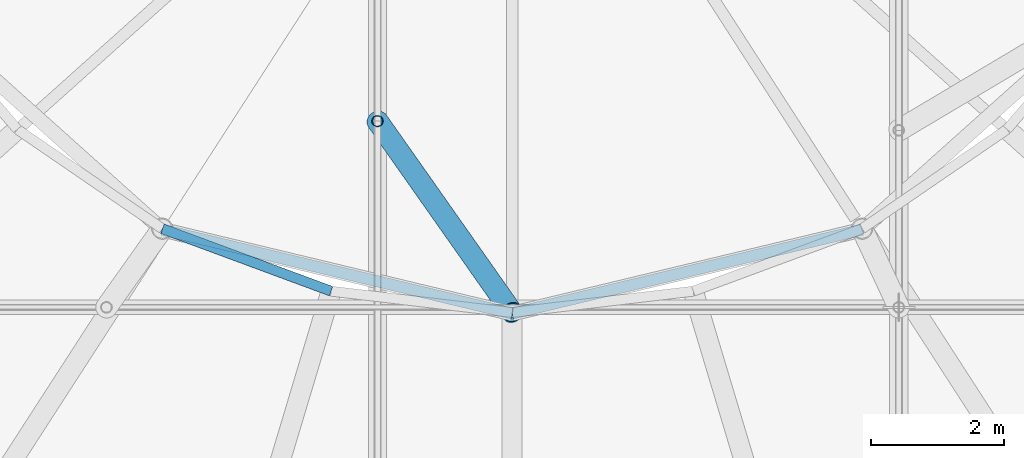
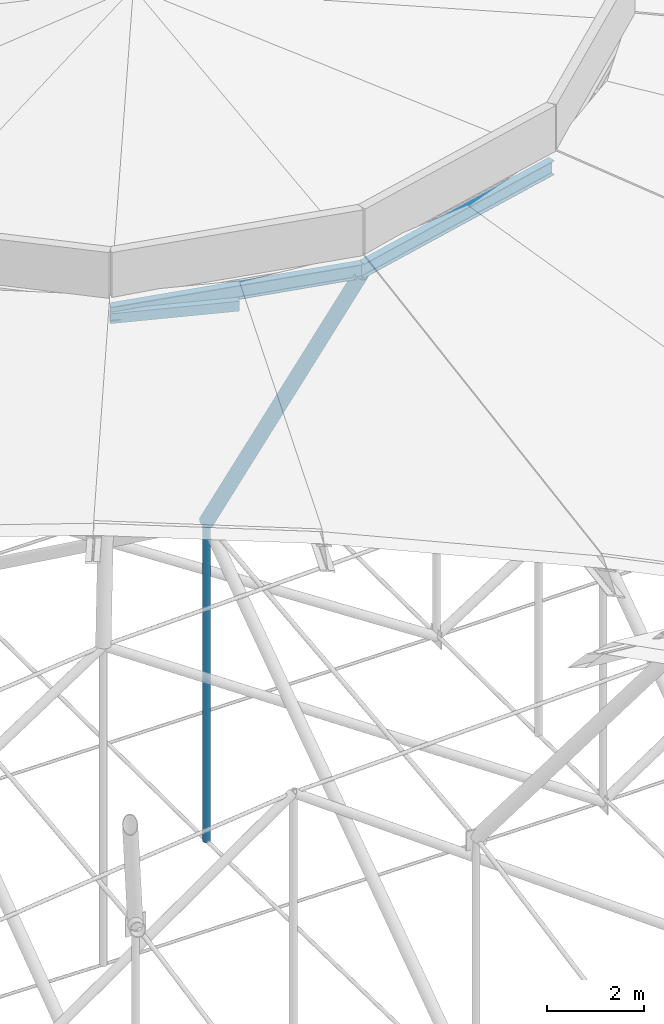
# One storey, part 51 of 173: 3 members, 2 beams.
"""IFC4 building model written with IfcOpenShell, lengths in metres."""

from ifc_helpers import new_model, si_unit, direction, frame, origin, origin_2d, place, context, subcontext, project, spatial, hollow_rectangle, hollow_circle, i_section, extrude, material, material_profile, profile_set, type_object, element, save


model = new_model("IFC4")

# Units and contexts
model_context = context("Model", 3, precision=1e-05, world=origin(), true_north=direction((0.0, 1.0)))
body_context = subcontext(model_context, "Body", "Model", "MODEL_VIEW")
ifc_project = project(units=[si_unit("LENGTHUNIT", "METRE"), si_unit("AREAUNIT", "SQUARE_METRE"), si_unit("VOLUMEUNIT", "CUBIC_METRE"), si_unit("PLANEANGLEUNIT", "RADIAN"), si_unit("MASSUNIT", "GRAM", prefix="KILO")], contexts=[model_context])

# Site, building, storey
site_placement = place(None, origin())
site = spatial("IfcSite", under=ifc_project, at=site_placement, CompositionType="ELEMENT")
building_placement = place(site_placement, origin())
building = spatial("IfcBuilding", under=site, at=building_placement, Name="Glasvene Arena", CompositionType="ELEMENT")
storey_placement = place(building_placement, frame((0.0, 0.0, 28.800048828125)))
storey = spatial("IfcBuildingStorey", under=building, at=storey_placement, Name="RF", CompositionType="ELEMENT", Elevation=28.800048828125)

# Beams
ifc_material = material(Name="Steel S355J2", Category="steel")
ifc_material_profile_1 = material_profile(ifc_material, i_section(OverallWidth=0.17138671875, OverallDepth=0.35498046875, WebThickness=0.00732421875, FlangeThickness=0.011474609375, FilletRadius=0.01025390625, at=origin_2d()), Name="UKB 356x171x51")
ifc_profile_set_1 = profile_set([ifc_material_profile_1], Name="Steel S355J2")
beam_type = type_object("IfcBeamType", Name="BM-JOIST-356", PredefinedType="JOIST", material=ifc_profile_set_1)
for number, where, z_axis, x_axis, name in (
    (1, (80.949951171875, 60.259521484375, 13.079833984375), (0.972407411278, -0.233289147823, 0.0), (0.233289147823, 0.972407411278, 0.0), "Crown lantern perimeter ring beam 09"),
    (2, (86.199951171875, 59.0, 13.079833984375), (0.972407411278, 0.233289147823, 0.0), (-0.233289147823, 0.972407411278, 0.0), "Crown lantern perimeter ring beam 10"),
):
    element("IfcBeam", number, at=place(storey_placement, frame(where, z_axis=z_axis, x_axis=x_axis)), inside=storey, type_object=beam_type, Name=name, PredefinedType="JOIST", context=body_context, shape_type="SweptSolid", body=[
        extrude(i_section(OverallWidth=0.17138671875, OverallDepth=0.35498046875, WebThickness=0.00732421875, FlangeThickness=0.011474609375, FilletRadius=0.01025390625, at=origin_2d()), origin(), (0.0, 0.0, 1.0), 5.39892578125),
    ])

# Members
ifc_material_profile_2 = material_profile(ifc_material, hollow_circle(Radius=0.161865234375, WallThickness=0.01611328125, at=origin_2d()), Name="CHS 323.9x16.0")
ifc_profile_set_2 = profile_set([ifc_material_profile_2], Name="Steel S355J2")
member_type_1 = type_object("IfcMemberType", Name="MB-POST-CHS324", PredefinedType="BRACE", material=ifc_profile_set_2)
member_1_placement = place(storey_placement, frame((84.17822265625, 61.888427734375, 5.6904296875), z_axis=(0.2506470128, -0.355978688267, 0.900252880292), x_axis=(0.817651272043, 0.575713815474, 0.0)))
element("IfcMember", 3, at=member_1_placement, inside=storey, type_object=member_type_1, Name="Petal ring 5 ridge support post 19", PredefinedType="BRACE", context=body_context, shape_type="SweptSolid", body=[
    extrude(hollow_circle(Radius=0.161865234375, WallThickness=0.01611328125, at=origin_2d()), origin(), (0.0, 0.0, 1.0), 8.06591796875),
])
ifc_material_profile_3 = material_profile(ifc_material, hollow_rectangle(XDim=0.14990234375, YDim=0.25, WallThickness=0.010009765625, at=origin_2d()), Name="RHS 250x150x10.0")
ifc_profile_set_3 = profile_set([ifc_material_profile_3], Name="Steel S355J2")
member_type_2 = type_object("IfcMemberType", Name="MB-PURLIN-RHS250", PredefinedType="PURLIN", material=ifc_profile_set_3)
member_2_placement = place(storey_placement, frame((80.949951171875, 60.274169921875, 12.951904296875), z_axis=(0.937832709701, -0.347087609423, 0.0), x_axis=(0.347087609423, 0.937832709701, 0.0)))
element("IfcMember", 4, at=member_2_placement, inside=storey, type_object=member_type_2, Name="Petal ring 5 ridge purlin 17", PredefinedType="PURLIN", context=body_context, shape_type="SweptSolid", body=[
    extrude(hollow_rectangle(XDim=0.14990234375, YDim=0.25, WallThickness=0.010009765625, at=origin_2d()), origin(), (0.0, 0.0, 1.0), 2.700439453125),
])
ifc_material_profile_4 = material_profile(ifc_material, hollow_circle(Radius=0.084228515625, WallThickness=0.008056640625, at=origin_2d()), Name="CHS 168.3x8.0")
ifc_profile_set_4 = profile_set([ifc_material_profile_4], Name="Steel S355J2")
member_type_3 = type_object("IfcMemberType", Name="MB-WEB-CHS168", PredefinedType="BRACE", material=ifc_profile_set_4)
member_3_placement = place(storey_placement, frame((84.17822265625, 61.888427734375, -2.328125), z_axis=(0.0, 0.0, 1.0), x_axis=(1.0, 0.0, 0.0)))
element("IfcMember", 5, at=member_3_placement, inside=storey, type_object=member_type_3, Name="Cable-truss vertical strut NS06-03", PredefinedType="BRACE", context=body_context, shape_type="SweptSolid", body=[
    extrude(hollow_circle(Radius=0.084228515625, WallThickness=0.008056640625, at=origin_2d()), origin(), (0.0, 0.0, 1.0), 8.0185546875),
])

save(model, "model.ifc")
